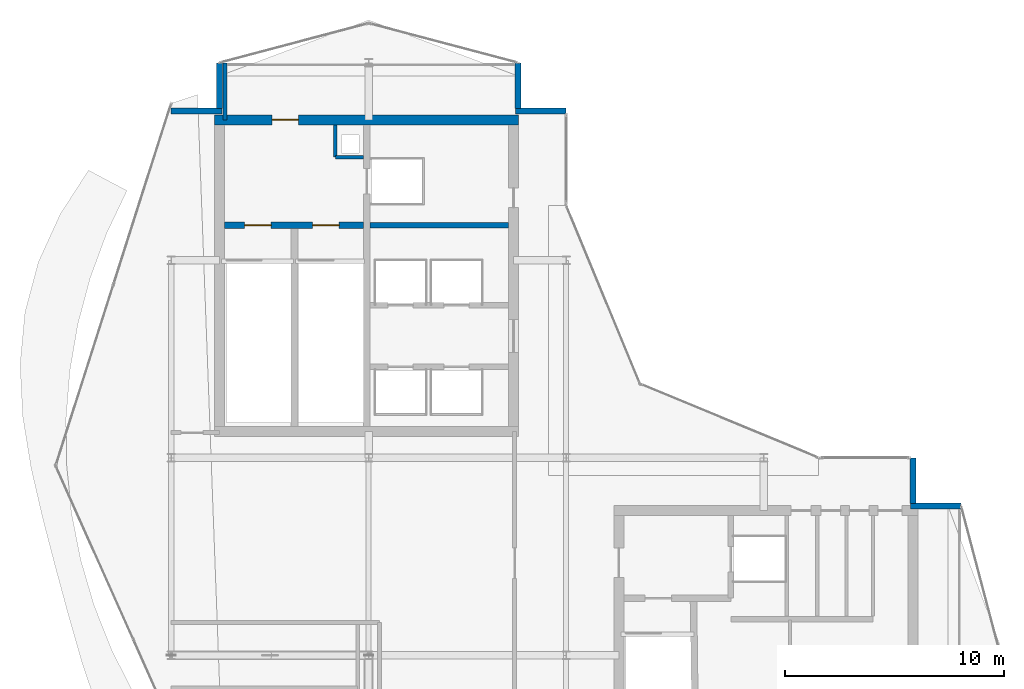
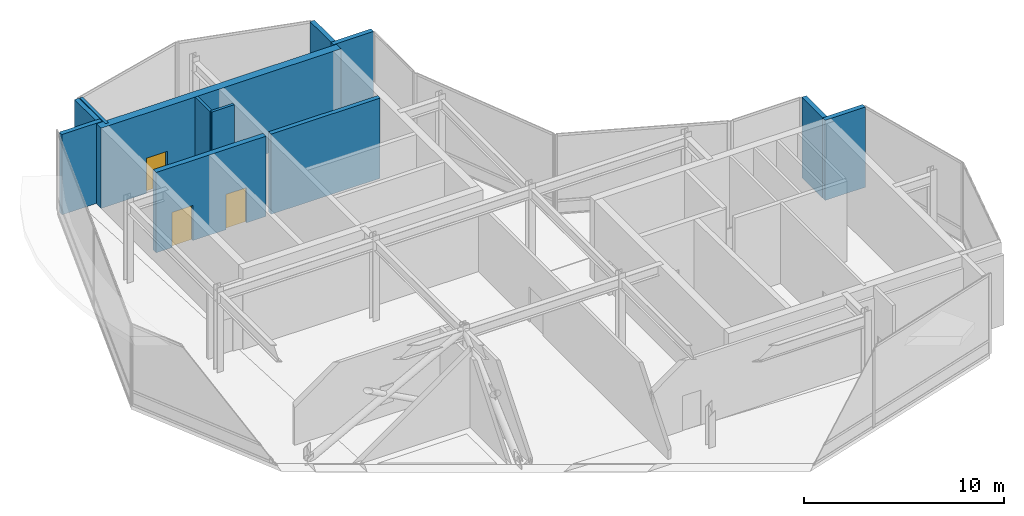
# One storey, part 18 of 19: 12 walls, 3 doors, 3 openings.
"""IFC4 building model written with IfcOpenShell, lengths in metres."""

from ifc_helpers import new_model, si_unit, direction, frame, frame_2d, origin, place, context, subcontext, project, spatial, rectangle, extrude, material, layer, layer_set, type_object, element, fill, save


model = new_model("IFC4")

# Units and contexts
model_context = context("Model", 3, precision=1e-05, world=origin(), true_north=direction((0.0, 1.0)))
body_context = subcontext(model_context, "Body", "Model", "MODEL_VIEW")
ifc_project = project(units=[si_unit("LENGTHUNIT", "METRE"), si_unit("AREAUNIT", "SQUARE_METRE"), si_unit("VOLUMEUNIT", "CUBIC_METRE"), si_unit("PLANEANGLEUNIT", "RADIAN"), si_unit("MASSUNIT", "GRAM", prefix="KILO")], contexts=[model_context])

# Site, building, storey
site_placement = place(None, origin())
site = spatial("IfcSite", under=ifc_project, at=site_placement, CompositionType="ELEMENT")
building_placement = place(site_placement, origin())
building = spatial("IfcBuilding", under=site, at=building_placement, Name="Solvaryn Broadcast Tower", CompositionType="ELEMENT")
storey_placement = place(building_placement, frame((0.0, 0.0, 302.60009765625)))
storey = spatial("IfcBuildingStorey", under=building, at=storey_placement, Name="L76", CompositionType="ELEMENT", Elevation=302.60009765625)

# Wall, opening, door
ifc_material_1 = material(Name="Concrete f'c 70 MPa", Category="concrete")
ifc_layer_1 = layer(ifc_material_1, 0.449951171875)
ifc_layer_set_1 = layer_set([ifc_layer_1], Name="CW-SHEAR-450")
wall_type_1 = type_object("IfcWallType", Name="CW-SHEAR-450", PredefinedType="SHEAR", material=ifc_layer_set_1)
wall_1_placement = place(storey_placement, frame((24.824951171875, 42.39990234375, 0.0), z_axis=(0.0, 0.0, 1.0), x_axis=(-1.0, 0.0, 0.0)))
wall_1 = element("IfcWall", 1, at=wall_1_placement, inside=storey, type_object=wall_type_1, Name="L76 West Core North Shear Wall", PredefinedType="SHEAR", context=body_context, shape_type="SweptSolid", body=[
    extrude(rectangle(XDim=13.849853515625, YDim=0.449951171875, at=frame_2d((6.9248046875, 0.0))), origin(), (0.0, 0.0, 1.0), 4.89990234375),
])
opening_1_placement = place(wall_1_placement, frame((10.02490234375, 0.0, 0.0)))
opening_1 = element("IfcOpeningElement", 2, at=opening_1_placement, cuts=wall_1, Name="Opening FD90A", PredefinedType="OPENING", context=body_context, shape_type="SweptSolid", body=[
    extrude(rectangle(XDim=1.199951171875, YDim=2.14990234375, at=frame_2d((0.60009765625, 1.074951171875))), frame((0.0, 0.235107421875, 0.0), z_axis=(0.0, -1.0, 0.0), x_axis=(1.0, 0.0, 0.0)), (0.0, 0.0, 1.0), 0.469970703125),
])
ifc_material_2 = material(Name="Flush Acoustic Steel and Timber Door Assembly", Category="steel")
door_type = type_object("IfcDoorType", Name="FD90-STAIR-1200X2150", OperationType="NOTDEFINED", PredefinedType="DOOR", material=ifc_material_2)
door_1_placement = place(opening_1_placement, origin())
door_1 = element("IfcDoor", 3, at=door_1_placement, inside=storey, type_object=door_type, Name="L76 West FSAE Lobby Corridor Door", OperationType="SINGLE_SWING_LEFT", OverallHeight=2.14990234375, OverallWidth=1.199951171875, PredefinedType="DOOR", context=body_context, shape_type="SweptSolid", body=[
    extrude(rectangle(XDim=1.199951171875, YDim=2.14990234375, at=frame_2d((0.60009765625, 1.074951171875))), frame((0.0, 0.02490234375, 0.0), z_axis=(0.0, -1.0, 0.0), x_axis=(1.0, 0.0, 0.0)), (0.0, 0.0, 1.0), 0.050048828125),
])
fill(opening_1, door_1)

# Walls
ifc_material_3 = material(Name="Concrete f'c 50 MPa", Category="concrete")
ifc_layer_2 = layer(ifc_material_3, 0.260009765625)
ifc_layer_set_2 = layer_set([ifc_layer_2], Name="EW-PIER-260")
wall_type_2 = type_object("IfcWallType", Name="EW-PIER-260", PredefinedType="SOLIDWALL", material=ifc_layer_set_2)
wall_2_placement = place(storey_placement, frame((9.0, 42.800048828125, 0.0), z_axis=(0.0, 0.0, 1.0), x_axis=(1.0, 0.0, 0.0)))
element("IfcWall", 4, at=wall_2_placement, inside=storey, type_object=wall_type_2, Name="L76 Notched Corner Pier Wall NNW1", PredefinedType="SOLIDWALL", context=body_context, shape_type="SweptSolid", body=[
    extrude(rectangle(XDim=2.320068359375, YDim=0.260009765625, at=frame_2d((1.16015625, 0.0))), origin(), (0.0, 0.0, 1.0), 4.89990234375),
])
for number, where, z_axis, x_axis, name in (
    (5, (11.199951171875, 42.919921875, 0.0), (0.0, 0.0, 1.0), (0.0, 1.0, 0.0), "L76 Notched Corner Pier Wall NNW2"),
    (6, (24.800048828125, 45.0, 0.0), (0.0, 0.0, 1.0), (0.0, -1.0, 0.0), "L76 Notched Corner Pier Wall NNE1"),
):
    element("IfcWall", number, at=place(storey_placement, frame(where, z_axis=z_axis, x_axis=x_axis)), inside=storey, type_object=wall_type_2, Name=name, PredefinedType="SOLIDWALL", context=body_context, shape_type="SweptSolid", body=[
        extrude(rectangle(XDim=2.080078125, YDim=0.260009765625, at=frame_2d((1.0400390625, 0.0))), origin(), (0.0, 0.0, 1.0), 4.89990234375),
    ])
for number, where, z_axis, x_axis, name in (
    (7, (24.679931640625, 42.800048828125, 0.0), (0.0, 0.0, 1.0), (1.0, 0.0, 0.0), "L76 Notched Corner Pier Wall NNE2"),
    (8, (45.0, 24.800048828125, 0.0), (0.0, 0.0, 1.0), (-1.0, 0.0, 0.0), "L76 Notched Corner Pier Wall NEE1"),
):
    element("IfcWall", number, at=place(storey_placement, frame(where, z_axis=z_axis, x_axis=x_axis)), inside=storey, type_object=wall_type_2, Name=name, PredefinedType="SOLIDWALL", context=body_context, shape_type="SweptSolid", body=[
        extrude(rectangle(XDim=2.320068359375, YDim=0.260009765625, at=frame_2d((1.16015625, 0.0))), origin(), (0.0, 0.0, 1.0), 4.89990234375),
    ])
wall_3_placement = place(storey_placement, frame((42.800048828125, 24.919921875, 0.0), z_axis=(0.0, 0.0, 1.0), x_axis=(0.0, 1.0, 0.0)))
element("IfcWall", 9, at=wall_3_placement, inside=storey, type_object=wall_type_2, Name="L76 Notched Corner Pier Wall NEE2", PredefinedType="SOLIDWALL", context=body_context, shape_type="SweptSolid", body=[
    extrude(rectangle(XDim=2.080078125, YDim=0.260009765625, at=frame_2d((1.0400390625, 0.0))), origin(), (0.0, 0.0, 1.0), 4.89990234375),
])
ifc_material_4 = material(Name="Metal-Stud Service Core Partition")
ifc_layer_3 = layer(ifc_material_4, 0.14990234375)
ifc_layer_set_3 = layer_set([ifc_layer_3], Name="IW-PART-150")
wall_type_3 = type_object("IfcWallType", Name="IW-PART-150", PredefinedType="PARTITIONING", material=ifc_layer_set_3)
wall_4_placement = place(storey_placement, frame((16.47998046875, 40.699951171875, 0.0), z_axis=(0.0, 0.0, 1.0), x_axis=(1.0, 0.0, 0.0)))
element("IfcWall", 10, at=wall_4_placement, inside=storey, type_object=wall_type_3, Name="L76 West Core Riser Shaft South Wall", PredefinedType="PARTITIONING", context=body_context, shape_type="SweptSolid", body=[
    extrude(rectangle(XDim=1.2900390625, YDim=0.14990234375, at=frame_2d((0.64501953125, 0.0))), origin(), (0.0, 0.0, 1.0), 4.89990234375),
])
wall_5_placement = place(storey_placement, frame((16.47998046875, 40.699951171875, 0.0), z_axis=(0.0, 0.0, 1.0), x_axis=(0.0, 1.0, 0.0)))
element("IfcWall", 11, at=wall_5_placement, inside=storey, type_object=wall_type_3, Name="L76 West Core Riser Shaft West Wall", PredefinedType="PARTITIONING", context=body_context, shape_type="SweptSolid", body=[
    extrude(rectangle(XDim=1.47509765625, YDim=0.14990234375, at=frame_2d((0.737548828125, 0.0))), origin(), (0.0, 0.0, 1.0), 4.89990234375),
])
ifc_material_5 = material(Name="Acoustic Metal-Stud Gypsum Partition")
ifc_layer_4 = layer(ifc_material_5, 0.179931640625)
ifc_layer_set_4 = layer_set([ifc_layer_4], Name="IW-PART-180")
wall_type_4 = type_object("IfcWallType", Name="IW-PART-180", PredefinedType="PARTITIONING", material=ifc_layer_set_4)
wall_6_placement = place(storey_placement, frame((11.449951171875, 42.39990234375, 0.0), z_axis=(0.0, 0.0, 1.0), x_axis=(0.0, 1.0, 0.0)))
element("IfcWall", 12, at=wall_6_placement, inside=storey, type_object=wall_type_4, Name="L76 Interior Partition IW-L76-TW3", PredefinedType="PARTITIONING", context=body_context, shape_type="SweptSolid", body=[
    extrude(rectangle(XDim=2.60009765625, YDim=0.179931640625, at=frame_2d((1.300048828125, 0.0))), origin(), (0.0, 0.0, 1.0), 4.89990234375),
])
ifc_material_6 = material(Name="Concrete f'c 60 MPa", Category="concrete")
ifc_layer_5 = layer(ifc_material_6, 0.25)
ifc_layer_set_5 = layer_set([ifc_layer_5], Name="SW-SHAFT-250")
wall_type_5 = type_object("IfcWallType", Name="SW-SHAFT-250", PredefinedType="PARTITIONING", material=ifc_layer_set_5)
wall_7_placement = place(storey_placement, frame((18.070068359375, 37.60009765625, 0.0), z_axis=(0.0, 0.0, 1.0), x_axis=(1.0, 0.0, 0.0)))
element("IfcWall", 13, at=wall_7_placement, inside=storey, type_object=wall_type_5, Name="L76 West Core FSAE Hoistway Front Wall", PredefinedType="PARTITIONING", context=body_context, shape_type="SweptSolid", body=[
    extrude(rectangle(XDim=6.304931640625, YDim=0.25, at=frame_2d((3.15234375, 0.0))), origin(), (0.0, 0.0, 1.0), 4.89990234375),
])

# Wall, openings, doors
ifc_material_7 = material(Name="Concrete f'c 70 MPa", Category="concrete")
ifc_layer_6 = layer(ifc_material_7, 0.300048828125)
ifc_layer_set_6 = layer_set([ifc_layer_6], Name="SW-SHAFT-300")
wall_type_6 = type_object("IfcWallType", Name="SW-SHAFT-300", PredefinedType="SHEAR", material=ifc_layer_set_6)
wall_8_placement = place(storey_placement, frame((17.77001953125, 37.60009765625, 0.0), z_axis=(0.0, 0.0, 1.0), x_axis=(-1.0, 0.0, 0.0)))
wall_8 = element("IfcWall", 14, at=wall_8_placement, inside=storey, type_object=wall_type_6, Name="L76 West Core FSAE Lobby South Wall", PredefinedType="SHEAR", context=body_context, shape_type="SweptSolid", body=[
    extrude(rectangle(XDim=6.344970703125, YDim=0.300048828125, at=frame_2d((3.17236328125, 0.0))), origin(), (0.0, 0.0, 1.0), 4.89990234375),
])
opening_2_placement = place(wall_8_placement, frame((4.219970703125, 0.0, 0.0)))
opening_2 = element("IfcOpeningElement", 15, at=opening_2_placement, cuts=wall_8, Name="Opening FD90A", PredefinedType="OPENING", context=body_context, shape_type="SweptSolid", body=[
    extrude(rectangle(XDim=1.199951171875, YDim=2.14990234375, at=frame_2d((0.60009765625, 1.074951171875))), frame((0.0, 0.159912109375, 0.0), z_axis=(0.0, -1.0, 0.0), x_axis=(1.0, 0.0, 0.0)), (0.0, 0.0, 1.0), 0.320068359375),
])
opening_3_placement = place(wall_8_placement, frame((1.1201171875, 0.0, 0.0)))
opening_3 = element("IfcOpeningElement", 16, at=opening_3_placement, cuts=wall_8, Name="Opening FD90A", PredefinedType="OPENING", context=body_context, shape_type="SweptSolid", body=[
    extrude(rectangle(XDim=1.199951171875, YDim=2.14990234375, at=frame_2d((0.60009765625, 1.074951171875))), frame((0.0, 0.159912109375, 0.0), z_axis=(0.0, -1.0, 0.0), x_axis=(1.0, 0.0, 0.0)), (0.0, 0.0, 1.0), 0.320068359375),
])
door_2_placement = place(opening_2_placement, origin())
door_2 = element("IfcDoor", 17, at=door_2_placement, inside=storey, type_object=door_type, Name="L76 Stair 1 Fire Door", OperationType="SINGLE_SWING_LEFT", OverallHeight=2.14990234375, OverallWidth=1.199951171875, PredefinedType="DOOR", context=body_context, shape_type="SweptSolid", body=[
    extrude(rectangle(XDim=1.199951171875, YDim=2.14990234375, at=frame_2d((0.60009765625, 1.074951171875))), frame((0.0, 0.02490234375, 0.0), z_axis=(0.0, -1.0, 0.0), x_axis=(1.0, 0.0, 0.0)), (0.0, 0.0, 1.0), 0.050048828125),
])
fill(opening_2, door_2)
door_3_placement = place(opening_3_placement, origin())
door_3 = element("IfcDoor", 18, at=door_3_placement, inside=storey, type_object=door_type, Name="L76 Stair 2 Fire Door", OperationType="SINGLE_SWING_RIGHT", OverallHeight=2.14990234375, OverallWidth=1.199951171875, PredefinedType="DOOR", context=body_context, shape_type="SweptSolid", body=[
    extrude(rectangle(XDim=1.199951171875, YDim=2.14990234375, at=frame_2d((0.60009765625, 1.074951171875))), frame((0.0, 0.02490234375, 0.0), z_axis=(0.0, -1.0, 0.0), x_axis=(1.0, 0.0, 0.0)), (0.0, 0.0, 1.0), 0.050048828125),
])
fill(opening_3, door_3)

save(model, "model.ifc")
